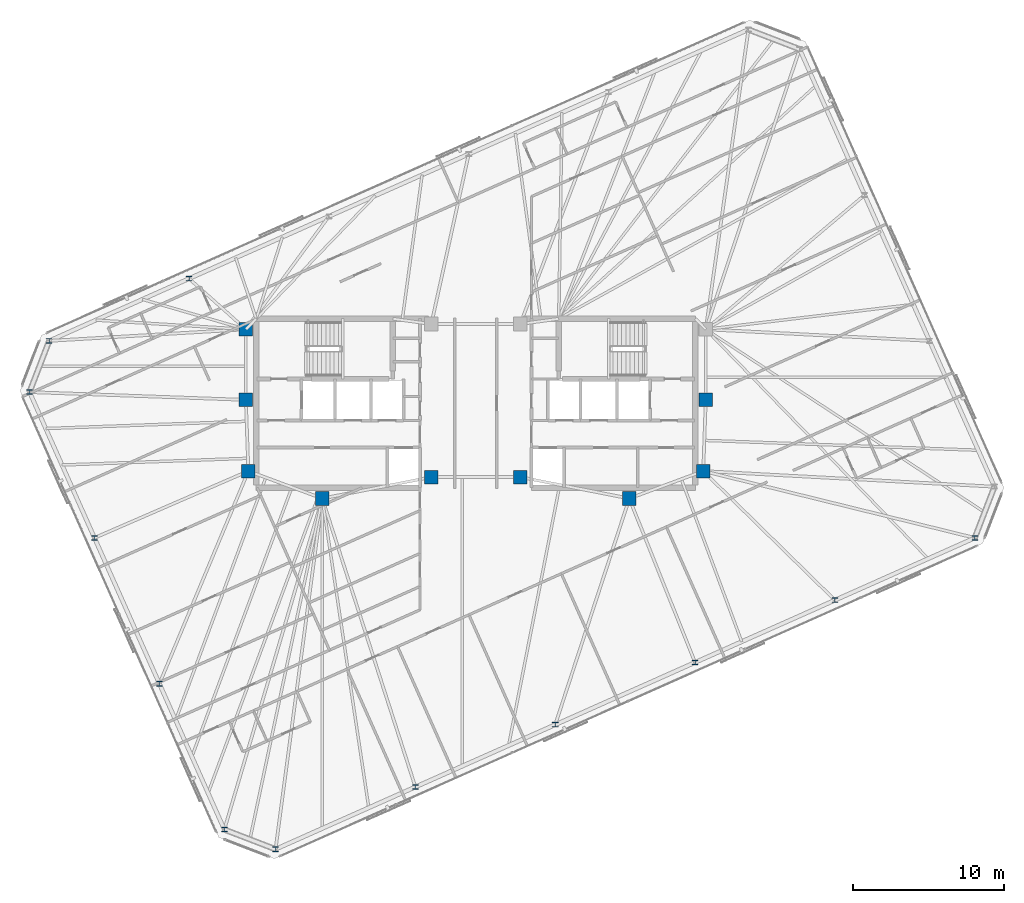
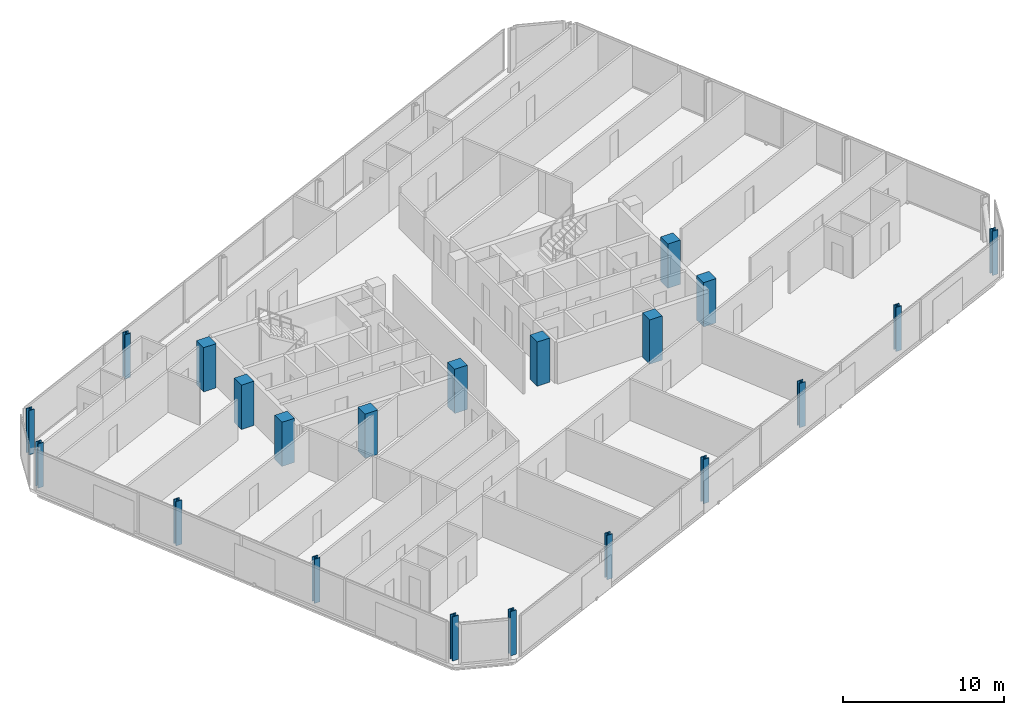
# One storey, part 1 of 19: 21 columns.
"""IFC4 building model written with IfcOpenShell, lengths in metres."""

from ifc_helpers import new_model, si_unit, direction, frame, origin, origin_2d, place, context, subcontext, project, spatial, rectangle, i_section, extrude, material, material_profile, profile_set, type_object, element, save


model = new_model("IFC4")

# Units and contexts
model_context = context("Model", 3, precision=1e-05, world=origin(), true_north=direction((0.0, 1.0)))
body_context = subcontext(model_context, "Body", "Model", "MODEL_VIEW")
ifc_project = project(units=[si_unit("LENGTHUNIT", "METRE"), si_unit("AREAUNIT", "SQUARE_METRE"), si_unit("VOLUMEUNIT", "CUBIC_METRE"), si_unit("PLANEANGLEUNIT", "RADIAN"), si_unit("MASSUNIT", "GRAM", prefix="KILO")], contexts=[model_context])

# Site, building, storey
site_placement = place(None, origin())
site = spatial("IfcSite", under=ifc_project, at=site_placement, CompositionType="ELEMENT")
building_placement = place(site_placement, origin())
building = spatial("IfcBuilding", under=site, at=building_placement, Name="Menara Jurai Vektor", CompositionType="ELEMENT")
storey_placement = place(building_placement, frame((0.0, 0.0, 288.60009765625)))
storey = spatial("IfcBuildingStorey", under=building, at=storey_placement, Name="L77", CompositionType="ELEMENT", Elevation=288.60009765625)

# Columns
ifc_material_1 = material(Name="Concrete C50/60", Category="concrete")
ifc_material_profile_1 = material_profile(ifc_material_1, rectangle(XDim=0.89990234375, YDim=0.89990234375, at=origin_2d()), Name="RC 900x900")
ifc_profile_set_1 = profile_set([ifc_material_profile_1], Name="Concrete C50/60")
column_type_1 = type_object("IfcColumnType", Name="STR-COL-RC900", PredefinedType="COLUMN", material=ifc_profile_set_1)
for number, where, z_axis, x_axis, name in (
    (1, (-15.25, 4.89990234375, 0.0), (0.0, 0.0, 1.0), (1.0, 0.0, 0.0), "Core Spine Column CW-NW L77"),
    (2, (-15.25, 0.219970703125, 0.0), (0.0, 0.0, 1.0), (1.0, 0.0, 0.0), "Core Spine Column CW-WM L77"),
    (3, (-15.080078125, -4.5, 0.0), (0.0, 0.0, 1.0), (1.0, 0.0, 0.0), "Core Spine Column CW-SW L77"),
    (4, (-10.179931640625, -6.320068359375, 0.0), (0.0, 0.0, 1.0), (1.0, 0.0, 0.0), "Core Spine Column CW-SM L77"),
    (5, (-2.949951171875, -4.89990234375, 0.0), (0.0, 0.0, 1.0), (1.0, 0.0, 0.0), "Core Spine Column CW-SE L77"),
    (6, (15.25, 0.219970703125, 0.0), (0.0, 0.0, 1.0), (1.0, 0.0, 0.0), "Core Spine Column CE-EM L77"),
    (7, (15.080078125, -4.5, 0.0), (0.0, 0.0, 1.0), (1.0, 0.0, 0.0), "Core Spine Column CE-SE L77"),
    (8, (10.179931640625, -6.320068359375, 0.0), (0.0, 0.0, 1.0), (1.0, 0.0, 0.0), "Core Spine Column CE-SM L77"),
    (9, (2.949951171875, -4.89990234375, 0.0), (0.0, 0.0, 1.0), (1.0, 0.0, 0.0), "Core Spine Column CE-SW L77"),
):
    element("IfcColumn", number, at=place(storey_placement, frame(where, z_axis=z_axis, x_axis=x_axis)), inside=storey, type_object=column_type_1, Name=name, PredefinedType="COLUMN", context=body_context, shape_type="SweptSolid", body=[
        extrude(rectangle(XDim=0.89990234375, YDim=0.89990234375, at=origin_2d()), origin(), (0.0, 0.0, 1.0), 3.349853515625),
    ])
ifc_material_2 = material(Name="Steel S460", Category="steel")
ifc_material_profile_2 = material_profile(ifc_material_2, i_section(OverallWidth=0.40087890625, OverallDepth=0.3349609375, WebThickness=0.035888671875, FlangeThickness=0.05810546875, FilletRadius=0.014892578125, at=origin_2d()), Name="HD 400x463")
ifc_profile_set_2 = profile_set([ifc_material_profile_2], Name="Steel S460")
column_type_2 = type_object("IfcColumnType", Name="STR-EXO-BLK5", PredefinedType="COLUMN", material=ifc_profile_set_2)
for number, where, z_axis, x_axis, name in (
    (10, (-13.279541015625, -29.576904296875, 0.0), (0.0, 0.0, 1.0), (1.0, 0.0, 0.0), "Exoskeleton Column BLK5-S1 L77"),
    (11, (-4.006103515625, -25.4482421875, 0.0), (0.0, 0.0, 1.0), (1.0, 0.0, 0.0), "Exoskeleton Column BLK5-S2 L77"),
    (12, (5.267578125, -21.3193359375, 0.0), (0.0, 0.0, 1.0), (1.0, 0.0, 0.0), "Exoskeleton Column BLK5-S3 L77"),
    (13, (14.541015625, -17.1904296875, 0.0), (0.0, 0.0, 1.0), (1.0, 0.0, 0.0), "Exoskeleton Column BLK5-S4 L77"),
    (14, (23.814453125, -13.061767578125, 0.0), (0.0, 0.0, 1.0), (1.0, 0.0, 0.0), "Exoskeleton Column BLK5-S5 L77"),
    (15, (33.088134765625, -8.932861328125, 0.0), (0.0, 0.0, 1.0), (1.0, 0.0, 0.0), "Exoskeleton Column BLK5-S6 L77"),
    (16, (-19.0146484375, 8.26171875, 0.0), (0.0, 0.0, 1.0), (1.0, 0.0, 0.0), "Exoskeleton Column BLK5-N5 L77"),
    (17, (-28.2880859375, 4.1328125, 0.0), (0.0, 0.0, 1.0), (1.0, 0.0, 0.0), "Exoskeleton Column BLK5-N6 L77"),
    (18, (-29.591796875, 0.73681640625, 0.0), (0.0, 0.0, 1.0), (1.0, 0.0, 0.0), "Exoskeleton Column BLK5-W1 L77"),
    (19, (-25.286376953125, -8.933349609375, 0.0), (0.0, 0.0, 1.0), (1.0, 0.0, 0.0), "Exoskeleton Column BLK5-W2 L77"),
    (20, (-20.98095703125, -18.603271484375, 0.0), (0.0, 0.0, 1.0), (1.0, 0.0, 0.0), "Exoskeleton Column BLK5-W3 L77"),
    (21, (-16.675537109375, -28.2734375, 0.0), (0.0, 0.0, 1.0), (1.0, 0.0, 0.0), "Exoskeleton Column BLK5-W4 L77"),
):
    element("IfcColumn", number, at=place(storey_placement, frame(where, z_axis=z_axis, x_axis=x_axis)), inside=storey, type_object=column_type_2, Name=name, PredefinedType="COLUMN", context=body_context, shape_type="SweptSolid", body=[
        extrude(i_section(OverallWidth=0.40087890625, OverallDepth=0.3349609375, WebThickness=0.035888671875, FlangeThickness=0.05810546875, FilletRadius=0.014892578125, at=origin_2d()), origin(), (0.0, 0.0, 1.0), 3.349853515625),
    ])

save(model, "model.ifc")
